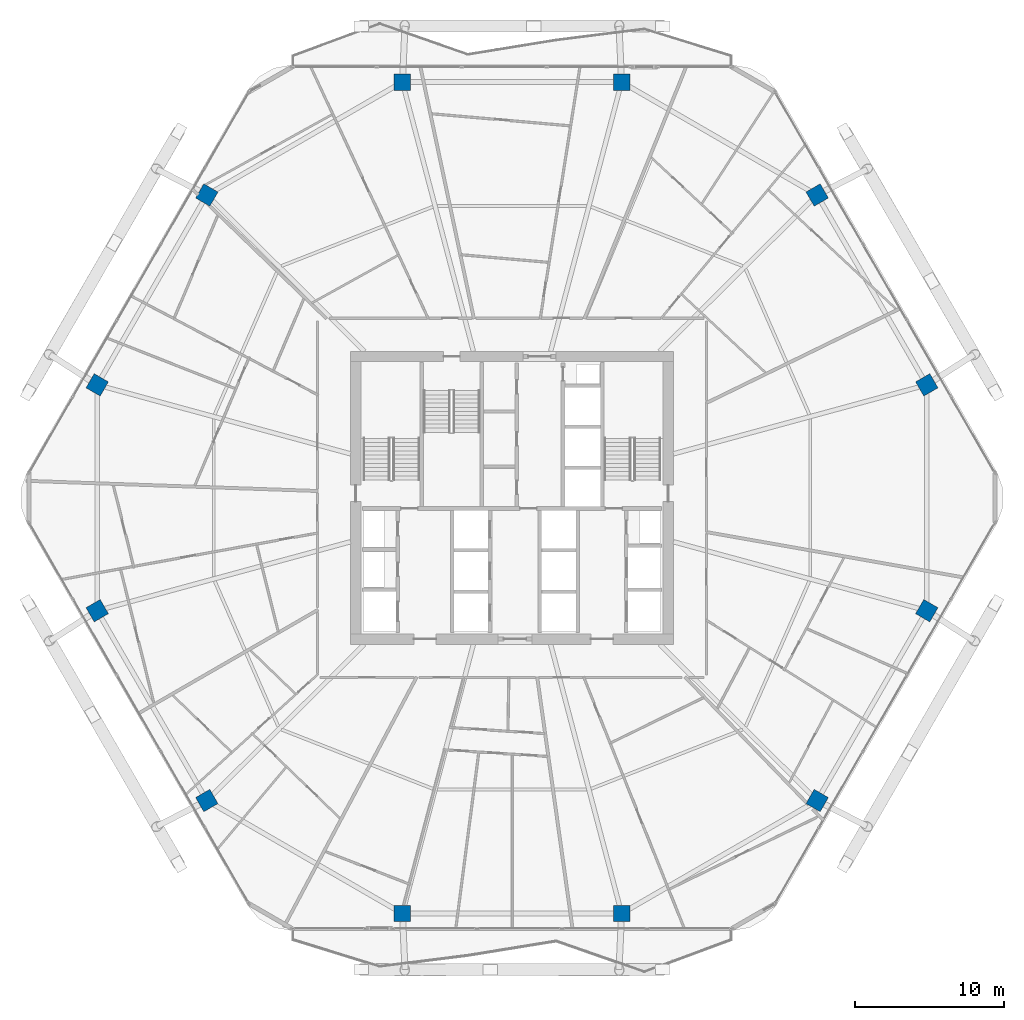
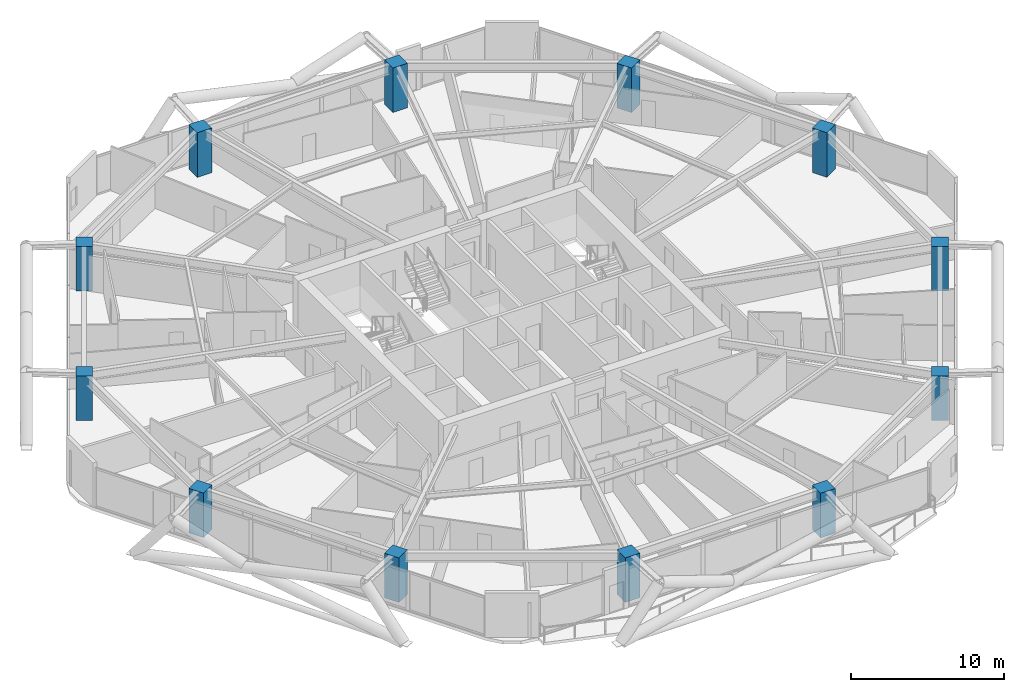
# One storey, part 1 of 35: 12 columns.
"""IFC4 building model written with IfcOpenShell, lengths in metres."""

from ifc_helpers import new_model, si_unit, direction, frame, origin, origin_2d, place, context, subcontext, project, spatial, rectangle, extrude, material, material_profile, profile_set, type_object, element, save


model = new_model("IFC4")

# Units and contexts
model_context = context("Model", 3, precision=1e-05, world=origin(), true_north=direction((0.0, 1.0)))
body_context = subcontext(model_context, "Body", "Model", "MODEL_VIEW")
ifc_project = project(units=[si_unit("LENGTHUNIT", "METRE"), si_unit("AREAUNIT", "SQUARE_METRE"), si_unit("VOLUMEUNIT", "CUBIC_METRE"), si_unit("PLANEANGLEUNIT", "RADIAN"), si_unit("MASSUNIT", "GRAM", prefix="KILO")], contexts=[model_context])

# Site, building, storey
site_placement = place(None, origin())
site = spatial("IfcSite", under=ifc_project, at=site_placement, CompositionType="ELEMENT")
building_placement = place(site_placement, origin())
building = spatial("IfcBuilding", under=site, at=building_placement, Name="Zuhravey Tower", CompositionType="ELEMENT")
storey_placement = place(building_placement, frame((0.0, 0.0, 138.0)))
storey = spatial("IfcBuildingStorey", under=building, at=storey_placement, Name="L34", CompositionType="ELEMENT", Elevation=138.0)

# Columns
ifc_material = material(Name="Concrete C60/75", Category="concrete")
ifc_material_profile = material_profile(ifc_material, rectangle(XDim=1.10009765625, YDim=1.10009765625, at=origin_2d()), Name="RC-1100x1100")
ifc_profile_set = profile_set([ifc_material_profile], Name="Concrete C60/75")
column_type = type_object("IfcColumnType", Name="Zone 1 Upper Column 1100x1100", PredefinedType="COLUMN", material=ifc_profile_set)
for number, where, z_axis, x_axis, name in (
    (1, (63.88916015625, 39.591552734375, 0.0), (0.0, 0.0, 1.0), (-0.5, 0.866025403784, 0.0), "L34 Perimeter Column PC01"),
    (2, (56.51904296875, 52.35693359375, 0.0), (0.0, 0.0, 1.0), (-0.5, 0.866025403784, 0.0), "L34 Perimeter Column PC02"),
    (3, (43.3701171875, 59.948486328125, 0.0), (0.0, 0.0, 1.0), (-1.0, 0.0, 0.0), "L34 Perimeter Column PC03"),
    (4, (28.6298828125, 59.948486328125, 0.0), (0.0, 0.0, 1.0), (-1.0, 0.0, 0.0), "L34 Perimeter Column PC04"),
    (5, (15.48095703125, 52.35693359375, 0.0), (0.0, 0.0, 1.0), (-0.5, -0.866025403784, 0.0), "L34 Perimeter Column PC05"),
    (6, (8.11083984375, 39.591552734375, 0.0), (0.0, 0.0, 1.0), (-0.5, -0.866025403784, 0.0), "L34 Perimeter Column PC06"),
    (7, (8.11083984375, 24.408447265625, 0.0), (0.0, 0.0, 1.0), (0.5, -0.866025403784, 0.0), "L34 Perimeter Column PC07"),
    (8, (15.48095703125, 11.64306640625, 0.0), (0.0, 0.0, 1.0), (0.5, -0.866025403784, 0.0), "L34 Perimeter Column PC08"),
    (9, (28.6298828125, 4.051513671875, 0.0), (0.0, 0.0, 1.0), (1.0, 0.0, 0.0), "L34 Perimeter Column PC09"),
    (10, (43.3701171875, 4.051513671875, 0.0), (0.0, 0.0, 1.0), (1.0, 0.0, 0.0), "L34 Perimeter Column PC10"),
    (11, (56.51904296875, 11.64306640625, 0.0), (0.0, 0.0, 1.0), (0.5, 0.866025403784, 0.0), "L34 Perimeter Column PC11"),
    (12, (63.88916015625, 24.408447265625, 0.0), (0.0, 0.0, 1.0), (0.5, 0.866025403784, 0.0), "L34 Perimeter Column PC12"),
):
    element("IfcColumn", number, at=place(storey_placement, frame(where, z_axis=z_axis, x_axis=x_axis)), inside=storey, type_object=column_type, Name=name, PredefinedType="COLUMN", context=body_context, shape_type="SweptSolid", body=[
        extrude(rectangle(XDim=1.10009765625, YDim=1.10009765625, at=origin_2d()), origin(), (0.0, 0.0, 1.0), 3.550048828125),
    ])

save(model, "model.ifc")
